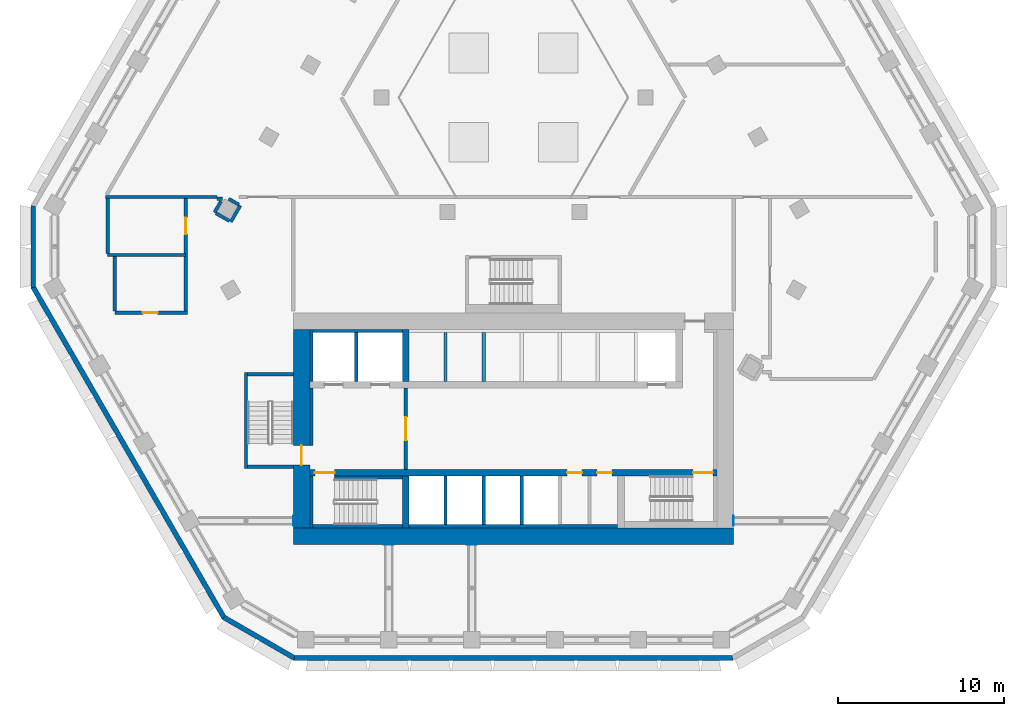
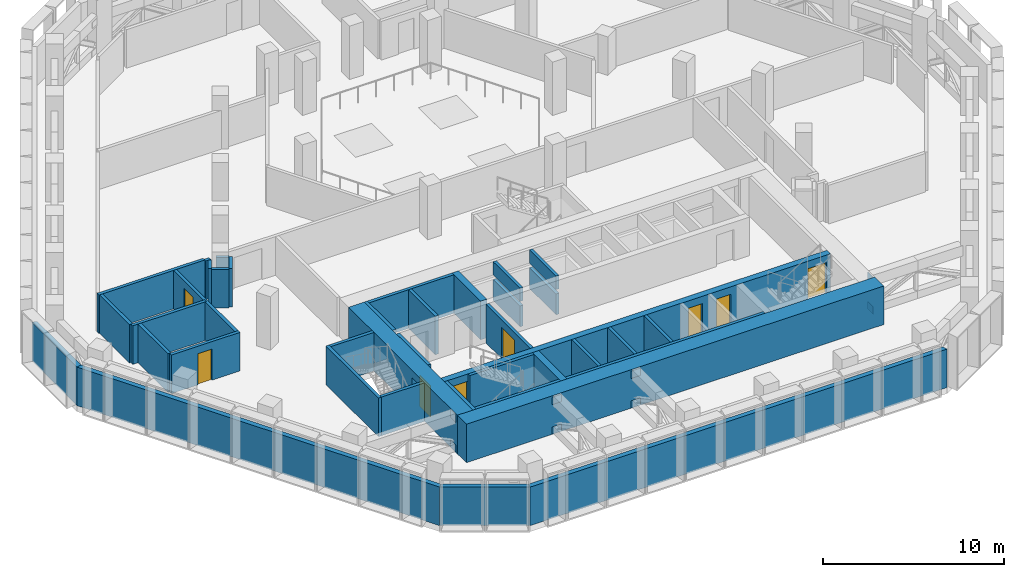
# One storey, part 12 of 23: 39 walls, 8 doors, 8 plates, 8 openings.
"""IFC4 building model written with IfcOpenShell, lengths in metres."""

from ifc_helpers import new_model, si_unit, direction, frame, frame_2d, origin, origin_2d, place, context, subcontext, project, spatial, polyline, rectangle, outline, extrude, material, layer, layer_set, type_object, element, fill, save


model = new_model("IFC4")

# Units and contexts
model_context = context("Model", 3, precision=1e-05, world=origin(), true_north=direction((0.0, 1.0)))
body_context = subcontext(model_context, "Body", "Model", "MODEL_VIEW")
ifc_project = project(units=[si_unit("LENGTHUNIT", "METRE"), si_unit("AREAUNIT", "SQUARE_METRE"), si_unit("VOLUMEUNIT", "CUBIC_METRE"), si_unit("PLANEANGLEUNIT", "RADIAN"), si_unit("MASSUNIT", "GRAM", prefix="KILO")], contexts=[model_context])

# Site, building, storey
site_placement = place(None, origin())
site = spatial("IfcSite", under=ifc_project, at=site_placement, CompositionType="ELEMENT")
building_placement = place(site_placement, origin())
building = spatial("IfcBuilding", under=site, at=building_placement, Name="Beryl Residences", CompositionType="ELEMENT")
storey_placement = place(building_placement, frame((0.0, 0.0, 108.0)))
storey = spatial("IfcBuildingStorey", under=building, at=storey_placement, Name="L33", CompositionType="ELEMENT", Elevation=108.0)

# Plates
ifc_material_1 = material(Name="Steel S355", Category="steel")
ifc_layer_1 = layer(ifc_material_1, 0.02490234375)
ifc_layer_set_1 = layer_set([ifc_layer_1], Name="CP2 cast-in plate 600 x 500 x 25 mm")
plate_type = type_object("IfcPlateType", Name="CP2 cast-in plate 600 x 500 x 25 mm", PredefinedType="SHEET", material=ifc_layer_set_1)
for number, where, z_axis, x_axis, name in (
    (1, (-13.2880859375, -17.56298828125, 2.0), (0.0, 0.0, 1.0), (1.0, 0.0, 0.0), "CP2 cast-in plate L33 OR-SW-3 T"),
    (2, (-13.2880859375, -17.56298828125, 0.0), (0.0, 0.0, 1.0), (1.0, 0.0, 0.0), "CP2 cast-in plate L33 OR-SW-3 B"),
    (3, (-7.533935546875, -18.988037109375, 2.0), (0.0, 0.0, 1.0), (0.0, 1.0, 0.0), "CP2 cast-in plate L33 OR-S-1 T"),
    (4, (-7.533935546875, -18.988037109375, 0.0), (0.0, 0.0, 1.0), (0.0, 1.0, 0.0), "CP2 cast-in plate L33 OR-S-1 B"),
    (5, (-2.510986328125, -18.988037109375, 2.0), (0.0, 0.0, 1.0), (0.0, 1.0, 0.0), "CP2 cast-in plate L33 OR-S-2 T"),
    (6, (-2.510986328125, -18.988037109375, 0.0), (0.0, 0.0, 1.0), (0.0, 1.0, 0.0), "CP2 cast-in plate L33 OR-S-2 B"),
    (7, (13.2880859375, -17.56298828125, 2.0), (0.0, 0.0, 1.0), (-1.0, 0.0, 0.0), "CP2 cast-in plate L33 OR-SE-1 T"),
    (8, (13.2880859375, -17.56298828125, 0.0), (0.0, 0.0, 1.0), (-1.0, 0.0, 0.0), "CP2 cast-in plate L33 OR-SE-1 B"),
):
    element("IfcPlate", number, at=place(storey_placement, frame(where, z_axis=z_axis, x_axis=x_axis)), inside=storey, type_object=plate_type, Name=name, PredefinedType="SHEET", context=body_context, shape_type="SweptSolid", body=[
        extrude(rectangle(XDim=0.02490234375, YDim=0.60009765625, at=origin_2d()), origin(), (0.0, 0.0, 1.0), 0.5),
    ])

# Walls
ifc_material_2 = material(Name="Composite metal panel with mineral wool insulation")
ifc_layer_2 = layer(ifc_material_2, 0.300048828125)
ifc_layer_set_2 = layer_set([ifc_layer_2], Name="ES1 pale metal composite panel wall 300 mm")
wall_type_1 = type_object("IfcWallType", Name="ES1 pale metal composite panel wall 300 mm", PredefinedType="SOLIDWALL", material=ifc_layer_set_2)
wall_1_placement = place(storey_placement, frame((-29.007080078125, 1.5, 0.0), z_axis=(0.0, 0.0, 1.0), x_axis=(0.0, -1.0, 0.0)))
element("IfcWall", 9, at=wall_1_placement, inside=storey, type_object=wall_type_1, Name="ES1 external wall L33 NW-SW", PredefinedType="SOLIDWALL", context=body_context, shape_type="SweptSolid", body=[
    extrude(outline(polyline([(0.0, -0.14990234375), (5.0, -0.14990234375), (4.919677734375, 0.14990234375), (0.080322265625, 0.14990234375), (0.0, -0.14990234375)])), origin(), (0.0, 0.0, 1.0), 2.60009765625),
])
wall_2_placement = place(storey_placement, frame((-29.027099609375, -3.425048828125, 0.0), z_axis=(0.0, 0.0, 1.0), x_axis=(0.500035407905, -0.866004960056, 0.0)))
element("IfcWall", 10, at=wall_2_placement, inside=storey, type_object=wall_type_1, Name="ES1 external wall L33 SW", PredefinedType="SOLIDWALL", context=body_context, shape_type="SweptSolid", body=[
    extrude(outline(polyline([(0.0, -0.14990234375), (23.094482421875, -0.14990234375), (23.01416015625, 0.14990234375), (0.080322265625, 0.14990234375), (0.0, -0.14990234375)])), origin(), (0.0, 0.0, 1.0), 2.60009765625),
])
wall_3_placement = place(storey_placement, frame((-17.533935546875, -23.3701171875, 0.0), z_axis=(0.0, 0.0, 1.0), x_axis=(0.866010750942, -0.50002537861, 0.0)))
element("IfcWall", 11, at=wall_3_placement, inside=storey, type_object=wall_type_1, Name="ES1 external wall L33 SW-S", PredefinedType="SOLIDWALL", context=body_context, shape_type="SweptSolid", body=[
    extrude(outline(polyline([(0.0, -0.14990234375), (4.999755859375, -0.14990234375), (4.91943359375, 0.14990234375), (0.080322265625, 0.14990234375), (0.0, -0.14990234375)])), origin(), (0.0, 0.0, 1.0), 2.60009765625),
])
wall_4_placement = place(storey_placement, frame((-13.279052734375, -25.85009765625, 0.0), z_axis=(0.0, 0.0, 1.0), x_axis=(1.0, 0.0, 0.0)))
element("IfcWall", 12, at=wall_4_placement, inside=storey, type_object=wall_type_1, Name="ES1 external wall L33 S", PredefinedType="SOLIDWALL", context=body_context, shape_type="SweptSolid", body=[
    extrude(outline(polyline([(0.0, -0.14990234375), (26.55810546875, -0.14990234375), (26.477783203125, 0.14990234375), (0.080322265625, 0.14990234375), (0.0, -0.14990234375)])), origin(), (0.0, 0.0, 1.0), 2.60009765625),
])

# Wall, opening, door
ifc_material_3 = material(Name="Cement board with tiles")
ifc_layer_3 = layer(ifc_material_3, 0.199951171875)
ifc_layer_set_3 = layer_set([ifc_layer_3], Name="PT11-200 wet area wall 200 mm")
wall_type_2 = type_object("IfcWallType", Name="PT11-200 wet area wall 200 mm", PredefinedType="PARTITIONING", material=ifc_layer_set_3)
wall_5_placement = place(storey_placement, frame((-24.075927734375, -5.0, 0.0), z_axis=(0.0, 0.0, 1.0), x_axis=(1.0, 0.0, 0.0)))
wall_5 = element("IfcWall", 13, at=wall_5_placement, inside=storey, type_object=wall_type_2, Name="Wall PT11-200 L33 001", PredefinedType="PARTITIONING", context=body_context, shape_type="SweptSolid", body=[
    extrude(rectangle(XDim=4.3759765625, YDim=0.199951171875, at=frame_2d((2.18798828125, 0.0))), origin(), (0.0, 0.0, 1.0), 2.60009765625),
])
opening_1_placement = place(wall_5_placement, frame((1.68798828125, 0.0, 0.0)))
opening_1 = element("IfcOpeningElement", 14, at=opening_1_placement, cuts=wall_5, Name="Opening L33-01", PredefinedType="OPENING", context=body_context, shape_type="SweptSolid", body=[
    extrude(rectangle(XDim=0.89990234375, YDim=2.10009765625, at=frame_2d((0.449951171875, 1.050048828125))), frame((0.0, 0.10986328125, 0.0), z_axis=(0.0, -1.0, 0.0), x_axis=(1.0, 0.0, 0.0)), (0.0, 0.0, 1.0), 0.219970703125),
])
ifc_material_4 = material(Name="Timber door leaf", Category="wood")
door_type_1 = type_object("IfcDoorType", Name="D2 room door 900 x 2100 mm", OperationType="SINGLE_SWING_LEFT", PredefinedType="DOOR", material=ifc_material_4)
door_1_placement = place(opening_1_placement, origin())
door_1 = element("IfcDoor", 15, at=door_1_placement, inside=storey, type_object=door_type_1, Name="Door L33-01 L33 001", OperationType="SINGLE_SWING_LEFT", OverallHeight=2.10009765625, OverallWidth=0.89990234375, PredefinedType="DOOR", context=body_context, shape_type="SweptSolid", body=[
    extrude(rectangle(XDim=0.89990234375, YDim=2.10009765625, at=frame_2d((0.449951171875, 1.050048828125))), frame((0.0, 0.02490234375, 0.0), z_axis=(0.0, -1.0, 0.0), x_axis=(1.0, 0.0, 0.0)), (0.0, 0.0, 1.0), 0.050048828125),
])
fill(opening_1, door_1)

# Walls
wall_6_placement = place(storey_placement, frame((-24.507080078125, -1.5, 0.0), z_axis=(0.0, 0.0, 1.0), x_axis=(1.0, 0.0, 0.0)))
element("IfcWall", 16, at=wall_6_placement, inside=storey, type_object=wall_type_2, Name="Wall PT11-200 L33 002", PredefinedType="PARTITIONING", context=body_context, shape_type="SweptSolid", body=[
    extrude(rectangle(XDim=4.70703125, YDim=0.199951171875, at=frame_2d((2.353515625, 0.0))), origin(), (0.0, 0.0, 1.0), 2.60009765625),
])
for number, where, z_axis, x_axis, name in (
    (17, (-24.507080078125, -1.39990234375, 0.0), (0.0, 0.0, 1.0), (0.0, 1.0, 0.0), "Wall PT11-200 L33 003"),
    (18, (-24.075927734375, -4.89990234375, 0.0), (0.0, 0.0, 1.0), (0.0, 1.0, 0.0), "Wall PT11-200 L33 004"),
):
    element("IfcWall", number, at=place(storey_placement, frame(where, z_axis=z_axis, x_axis=x_axis)), inside=storey, type_object=wall_type_2, Name=name, PredefinedType="PARTITIONING", context=body_context, shape_type="SweptSolid", body=[
        extrude(rectangle(XDim=3.2998046875, YDim=0.199951171875, at=frame_2d((1.64990234375, 0.0))), origin(), (0.0, 0.0, 1.0), 2.60009765625),
    ])

# Wall, opening, door
wall_7_placement = place(storey_placement, frame((-19.800048828125, -4.89990234375, 0.0), z_axis=(0.0, 0.0, 1.0), x_axis=(0.0, 1.0, 0.0)))
wall_7 = element("IfcWall", 19, at=wall_7_placement, inside=storey, type_object=wall_type_2, Name="Wall PT11-200 L33 005", PredefinedType="PARTITIONING", context=body_context, shape_type="SweptSolid", body=[
    extrude(rectangle(XDim=6.7998046875, YDim=0.199951171875, at=frame_2d((3.39990234375, 0.0))), origin(), (0.0, 0.0, 1.0), 2.60009765625),
])
opening_2_placement = place(wall_7_placement, frame((4.64794921875, 0.0, 0.0)))
opening_2 = element("IfcOpeningElement", 20, at=opening_2_placement, cuts=wall_7, Name="Opening L33-02", PredefinedType="OPENING", context=body_context, shape_type="SweptSolid", body=[
    extrude(rectangle(XDim=1.0, YDim=2.10009765625, at=frame_2d((0.5, 1.050048828125))), frame((0.0, 0.10986328125, 0.0), z_axis=(0.0, -1.0, 0.0), x_axis=(1.0, 0.0, 0.0)), (0.0, 0.0, 1.0), 0.219970703125),
])
ifc_material_5 = material(Name="Timber door leaf", Category="wood")
door_type_2 = type_object("IfcDoorType", Name="D19 room door 1000 x 2100 mm", OperationType="SINGLE_SWING_LEFT", PredefinedType="DOOR", material=ifc_material_5)
door_2_placement = place(opening_2_placement, origin())
door_2 = element("IfcDoor", 21, at=door_2_placement, inside=storey, type_object=door_type_2, Name="Door L33-02 L33 001", OperationType="SINGLE_SWING_RIGHT", OverallHeight=2.10009765625, OverallWidth=1.0, PredefinedType="DOOR", context=body_context, shape_type="SweptSolid", body=[
    extrude(rectangle(XDim=1.0, YDim=2.10009765625, at=frame_2d((0.5, 1.050048828125))), frame((0.0, 0.02490234375, 0.0), z_axis=(0.0, -1.0, 0.0), x_axis=(1.0, 0.0, 0.0)), (0.0, 0.0, 1.0), 0.050048828125),
])
fill(opening_2, door_2)

# Wall
ifc_material_6 = material(Name="Concrete masonry", Category="masonry")
ifc_layer_4 = layer(ifc_material_6, 0.199951171875)
ifc_layer_set_4 = layer_set([ifc_layer_4], Name="PT13 lobby wall 200 mm")
wall_type_3 = type_object("IfcWallType", Name="PT13 lobby wall 200 mm", PredefinedType="PARTITIONING", material=ifc_layer_set_4)
wall_8_placement = place(storey_placement, frame((-12.199951171875, -13.0, 0.0), z_axis=(0.0, 0.0, 1.0), x_axis=(0.0, 1.0, 0.0)))
element("IfcWall", 22, at=wall_8_placement, inside=storey, type_object=wall_type_3, Name="Lobby wall 05", PredefinedType="PARTITIONING", context=body_context, shape_type="SweptSolid", body=[
    extrude(rectangle(XDim=3.449951171875, YDim=0.199951171875, at=frame_2d((1.72509765625, 0.0))), origin(), (0.0, 0.0, 1.0), 2.60009765625),
])

# Wall, opening, door
wall_9_placement = place(storey_placement, frame((-6.5, -14.449951171875, 0.0), z_axis=(0.0, 0.0, 1.0), x_axis=(0.0, 1.0, 0.0)))
wall_9 = element("IfcWall", 23, at=wall_9_placement, inside=storey, type_object=wall_type_3, Name="Lobby wall 11", PredefinedType="PARTITIONING", context=body_context, shape_type="SweptSolid", body=[
    extrude(rectangle(XDim=4.89990234375, YDim=0.199951171875, at=frame_2d((2.449951171875, 0.0))), origin(), (0.0, 0.0, 1.0), 2.60009765625),
])
opening_3_placement = place(wall_9_placement, frame((3.14990234375, 0.0, 0.0), z_axis=(0.0, 0.0, 1.0), x_axis=(-1.0, 0.0, 0.0)))
opening_3 = element("IfcOpeningElement", 24, at=opening_3_placement, cuts=wall_9, Name="Opening FD-FFL", PredefinedType="OPENING", context=body_context, shape_type="SweptSolid", body=[
    extrude(rectangle(XDim=1.39990234375, YDim=2.10009765625, at=frame_2d((0.699951171875, 1.050048828125))), frame((0.0, 0.10986328125, 0.0), z_axis=(0.0, -1.0, 0.0), x_axis=(1.0, 0.0, 0.0)), (0.0, 0.0, 1.0), 0.219970703125),
])
ifc_material_7 = material(Name="Steel door leaf in steel frame", Category="steel")
door_type_3 = type_object("IfcDoorType", Name="D5 lobby door 1400 x 2100 mm", OperationType="DOUBLE_DOOR_SINGLE_SWING", PredefinedType="DOOR", material=ifc_material_7)
door_3_placement = place(opening_3_placement, origin())
door_3 = element("IfcDoor", 25, at=door_3_placement, inside=storey, type_object=door_type_3, Name="Door FD-FFL L33 001", OperationType="DOUBLE_DOOR_SINGLE_SWING", OverallHeight=2.10009765625, OverallWidth=1.39990234375, PredefinedType="DOOR", context=body_context, shape_type="SweptSolid", body=[
    extrude(rectangle(XDim=1.39990234375, YDim=2.10009765625, at=frame_2d((0.699951171875, 1.050048828125))), frame((0.0, 0.02490234375, 0.0), z_axis=(0.0, -1.0, 0.0), x_axis=(1.0, 0.0, 0.0)), (0.0, 0.0, 1.0), 0.050048828125),
])
fill(opening_3, door_3)

# Walls
ifc_material_8 = material(Name="Concrete C40/50", Category="concrete")
ifc_layer_5 = layer(ifc_material_8, 0.199951171875)
ifc_layer_set_5 = layer_set([ifc_layer_5], Name="PT5 stair enclosure wall 200 mm reinforced concrete C40/50")
wall_type_4 = type_object("IfcWallType", Name="PT5 stair enclosure wall 200 mm reinforced concrete C40/50", PredefinedType="SOLIDWALL", material=ifc_layer_set_5)
wall_10_placement = place(storey_placement, frame((-16.14990234375, -14.39990234375, 0.0), z_axis=(0.0, 0.0, 1.0), x_axis=(0.0, 1.0, 0.0)))
element("IfcWall", 26, at=wall_10_placement, inside=storey, type_object=wall_type_4, Name="Stair wall 01", PredefinedType="SOLIDWALL", context=body_context, shape_type="SweptSolid", body=[
    extrude(rectangle(XDim=5.7998046875, YDim=0.199951171875, at=frame_2d((2.89990234375, 0.0))), origin(), (0.0, 0.0, 1.0), 2.60009765625),
])
for number, where, z_axis, x_axis, name in (
    (27, (-16.050048828125, -14.300048828125, 0.0), (0.0, 0.0, 1.0), (1.0, 0.0, 0.0), "Stair wall 02"),
    (28, (-16.050048828125, -8.699951171875, 0.0), (0.0, 0.0, 1.0), (1.0, 0.0, 0.0), "Stair wall 03"),
):
    element("IfcWall", number, at=place(storey_placement, frame(where, z_axis=z_axis, x_axis=x_axis)), inside=storey, type_object=wall_type_4, Name=name, PredefinedType="SOLIDWALL", context=body_context, shape_type="SweptSolid", body=[
        extrude(rectangle(XDim=2.75, YDim=0.199951171875, at=frame_2d((1.375, 0.0))), origin(), (0.0, 0.0, 1.0), 2.60009765625),
    ])
wall_11_placement = place(storey_placement, frame((-12.199951171875, -18.0, 0.0), z_axis=(0.0, 0.0, 1.0), x_axis=(0.0, 1.0, 0.0)))
element("IfcWall", 29, at=wall_11_placement, inside=storey, type_object=wall_type_4, Name="Stair wall 04", PredefinedType="SOLIDWALL", context=body_context, shape_type="SweptSolid", body=[
    extrude(rectangle(XDim=3.14990234375, YDim=0.199951171875, at=frame_2d((1.574951171875, 0.0))), origin(), (0.0, 0.0, 1.0), 2.60009765625),
])
wall_12_placement = place(storey_placement, frame((-12.10009765625, -17.89990234375, 0.0), z_axis=(0.0, 0.0, 1.0), x_axis=(1.0, 0.0, 0.0)))
element("IfcWall", 30, at=wall_12_placement, inside=storey, type_object=wall_type_4, Name="Stair wall 07", PredefinedType="SOLIDWALL", context=body_context, shape_type="SweptSolid", body=[
    extrude(rectangle(XDim=5.400146484375, YDim=0.199951171875, at=frame_2d((2.7001953125, 0.0))), origin(), (0.0, 0.0, 1.0), 2.60009765625),
])
wall_13_placement = place(storey_placement, frame((-10.800048828125, -14.949951171875, 0.0), z_axis=(0.0, 0.0, 1.0), x_axis=(1.0, 0.0, 0.0)))
element("IfcWall", 31, at=wall_13_placement, inside=storey, type_object=wall_type_4, Name="Stair wall 09", PredefinedType="SOLIDWALL", context=body_context, shape_type="SweptSolid", body=[
    extrude(rectangle(XDim=4.10009765625, YDim=0.199951171875, at=frame_2d((2.050048828125, 0.0))), origin(), (0.0, 0.0, 1.0), 2.60009765625),
])
ifc_material_9 = material(Name="Concrete C40/50", Category="concrete")
ifc_layer_6 = layer(ifc_material_9, 0.199951171875)
ifc_layer_set_6 = layer_set([ifc_layer_6], Name="PT6 lift shaft wall 200 mm reinforced concrete C40/50")
wall_type_5 = type_object("IfcWallType", Name="PT6 lift shaft wall 200 mm reinforced concrete C40/50", PredefinedType="SOLIDWALL", material=ifc_layer_set_6)
wall_14_placement = place(storey_placement, frame((-12.199951171875, -9.14990234375, 0.0), z_axis=(0.0, 0.0, 1.0), x_axis=(0.0, 1.0, 0.0)))
element("IfcWall", 32, at=wall_14_placement, inside=storey, type_object=wall_type_5, Name="Lift shaft wall 06", PredefinedType="SOLIDWALL", context=body_context, shape_type="SweptSolid", body=[
    extrude(rectangle(XDim=3.14990234375, YDim=0.199951171875, at=frame_2d((1.574951171875, 0.0))), origin(), (0.0, 0.0, 1.0), 2.60009765625),
])
wall_15_placement = place(storey_placement, frame((-12.10009765625, -6.10009765625, 0.0), z_axis=(0.0, 0.0, 1.0), x_axis=(1.0, 0.0, 0.0)))
element("IfcWall", 33, at=wall_15_placement, inside=storey, type_object=wall_type_5, Name="Lift shaft wall 08", PredefinedType="SOLIDWALL", context=body_context, shape_type="SweptSolid", body=[
    extrude(rectangle(XDim=5.400146484375, YDim=0.199951171875, at=frame_2d((2.7001953125, 0.0))), origin(), (0.0, 0.0, 1.0), 2.60009765625),
])
wall_16_placement = place(storey_placement, frame((-9.5, -9.14990234375, 0.0), z_axis=(0.0, 0.0, 1.0), x_axis=(0.0, 1.0, 0.0)))
element("IfcWall", 34, at=wall_16_placement, inside=storey, type_object=wall_type_5, Name="Lift shaft wall 10", PredefinedType="SOLIDWALL", context=body_context, shape_type="SweptSolid", body=[
    extrude(rectangle(XDim=2.949951171875, YDim=0.199951171875, at=frame_2d((1.47509765625, 0.0))), origin(), (0.0, 0.0, 1.0), 2.60009765625),
])
wall_17_placement = place(storey_placement, frame((-6.300048828125, -17.89990234375, 0.0), z_axis=(0.0, 0.0, 1.0), x_axis=(1.0, 0.0, 0.0)))
element("IfcWall", 35, at=wall_17_placement, inside=storey, type_object=wall_type_5, Name="Lift shaft wall 12", PredefinedType="SOLIDWALL", context=body_context, shape_type="SweptSolid", body=[
    extrude(rectangle(XDim=12.60009765625, YDim=0.199951171875, at=frame_2d((6.300048828125, 0.0))), origin(), (0.0, 0.0, 1.0), 2.60009765625),
])
wall_18_placement = place(storey_placement, frame((-4.10009765625, -17.800048828125, 0.0), z_axis=(0.0, 0.0, 1.0), x_axis=(0.0, 1.0, 0.0)))
element("IfcWall", 36, at=wall_18_placement, inside=storey, type_object=wall_type_5, Name="Lift shaft wall 14", PredefinedType="SOLIDWALL", context=body_context, shape_type="SweptSolid", body=[
    extrude(rectangle(XDim=2.949951171875, YDim=0.199951171875, at=frame_2d((1.47509765625, 0.0))), origin(), (0.0, 0.0, 1.0), 2.60009765625),
])
wall_19_placement = place(storey_placement, frame((-4.10009765625, -9.14990234375, 1.699951171875), z_axis=(0.0, 0.0, 1.0), x_axis=(0.0, 1.0, 0.0)))
element("IfcWall", 37, at=wall_19_placement, inside=storey, type_object=wall_type_5, Name="Lift shaft wall 15", PredefinedType="SOLIDWALL", context=body_context, shape_type="SweptSolid", body=[
    extrude(rectangle(XDim=2.949951171875, YDim=0.199951171875, at=frame_2d((1.47509765625, 0.0))), origin(), (0.0, 0.0, 1.0), 0.900146484375),
])
wall_20_placement = place(storey_placement, frame((-1.800048828125, -17.800048828125, 0.0), z_axis=(0.0, 0.0, 1.0), x_axis=(0.0, 1.0, 0.0)))
element("IfcWall", 38, at=wall_20_placement, inside=storey, type_object=wall_type_5, Name="Lift shaft wall 16", PredefinedType="SOLIDWALL", context=body_context, shape_type="SweptSolid", body=[
    extrude(rectangle(XDim=2.949951171875, YDim=0.199951171875, at=frame_2d((1.47509765625, 0.0))), origin(), (0.0, 0.0, 1.0), 2.60009765625),
])
wall_21_placement = place(storey_placement, frame((-1.800048828125, -9.14990234375, 1.699951171875), z_axis=(0.0, 0.0, 1.0), x_axis=(0.0, 1.0, 0.0)))
element("IfcWall", 39, at=wall_21_placement, inside=storey, type_object=wall_type_5, Name="Lift shaft wall 17", PredefinedType="SOLIDWALL", context=body_context, shape_type="SweptSolid", body=[
    extrude(rectangle(XDim=2.949951171875, YDim=0.199951171875, at=frame_2d((1.47509765625, 0.0))), origin(), (0.0, 0.0, 1.0), 0.900146484375),
])
wall_22_placement = place(storey_placement, frame((0.5, -17.800048828125, 0.0), z_axis=(0.0, 0.0, 1.0), x_axis=(0.0, 1.0, 0.0)))
element("IfcWall", 40, at=wall_22_placement, inside=storey, type_object=wall_type_5, Name="Lift shaft wall 18", PredefinedType="SOLIDWALL", context=body_context, shape_type="SweptSolid", body=[
    extrude(rectangle(XDim=2.949951171875, YDim=0.199951171875, at=frame_2d((1.47509765625, 0.0))), origin(), (0.0, 0.0, 1.0), 2.60009765625),
])
ifc_material_10 = material(Name="Concrete C40/50", Category="concrete")
ifc_layer_7 = layer(ifc_material_10, 0.199951171875)
ifc_layer_set_7 = layer_set([ifc_layer_7], Name="PT6S lift shaft wall 200 mm reinforced concrete C40/50 (load-bearing)")
wall_type_6 = type_object("IfcWallType", Name="PT6S lift shaft wall 200 mm reinforced concrete C40/50 (load-bearing)", PredefinedType="SOLIDWALL", material=ifc_layer_set_7)
for number, where, z_axis, x_axis, name in (
    (41, (-4.10009765625, -9.14990234375, 0.0), (0.0, 0.0, 1.0), (0.0, 1.0, 0.0), "Lift shaft wall 15"),
    (42, (-1.800048828125, -9.14990234375, 0.0), (0.0, 0.0, 1.0), (0.0, 1.0, 0.0), "Lift shaft wall 17"),
):
    element("IfcWall", number, at=place(storey_placement, frame(where, z_axis=z_axis, x_axis=x_axis)), inside=storey, type_object=wall_type_6, Name=name, PredefinedType="SOLIDWALL", context=body_context, shape_type="SweptSolid", body=[
        extrude(rectangle(XDim=2.949951171875, YDim=0.199951171875, at=frame_2d((1.47509765625, 0.0))), origin(), (0.0, 0.0, 1.0), 1.39990234375),
    ])
ifc_material_11 = material(Name="Concrete C40/50", Category="concrete")
ifc_layer_8 = layer(ifc_material_11, 0.199951171875)
ifc_layer_set_8 = layer_set([ifc_layer_8], Name="PT9-200 plant room wall 200 mm")
wall_type_7 = type_object("IfcWallType", Name="PT9-200 plant room wall 200 mm", PredefinedType="SOLIDWALL", material=ifc_layer_set_8)
wall_23_placement = place(storey_placement, frame((-17.89208984375, 1.889892578125, 0.0), z_axis=(0.0, 0.0, 1.0), x_axis=(1.0, 0.0, 0.0)))
element("IfcWall", 43, at=wall_23_placement, inside=storey, type_object=wall_type_7, Name="Wall PT9-200 L33 004", PredefinedType="SOLIDWALL", context=body_context, shape_type="SweptSolid", body=[
    extrude(rectangle(XDim=0.31201171875, YDim=0.199951171875, at=frame_2d((0.156005859375, 0.0))), origin(), (0.0, 0.0, 1.0), 2.60009765625),
])
wall_24_placement = place(storey_placement, frame((-24.654052734375, 2.0, 0.0), z_axis=(0.0, 0.0, 1.0), x_axis=(1.0, 0.0, 0.0)))
element("IfcWall", 44, at=wall_24_placement, inside=storey, type_object=wall_type_7, Name="Wall PT9-200 L33 005", PredefinedType="SOLIDWALL", context=body_context, shape_type="SweptSolid", body=[
    extrude(rectangle(XDim=6.761962890625, YDim=0.199951171875, at=frame_2d((3.380859375, 0.0))), origin(), (0.0, 0.0, 1.0), 2.60009765625),
])
wall_25_placement = place(storey_placement, frame((-17.201904296875, 1.889892578125, 0.0), z_axis=(0.0, 0.0, 1.0), x_axis=(0.866168466286, -0.499752126571, 0.0)))
element("IfcWall", 45, at=wall_25_placement, inside=storey, type_object=wall_type_7, Name="Wall PT9-200 L33 020", PredefinedType="SOLIDWALL", context=body_context, shape_type="SweptSolid", body=[
    extrude(rectangle(XDim=0.712158203125, YDim=0.199951171875, at=frame_2d((0.35595703125, 0.0))), origin(), (0.0, 0.0, 1.0), 2.60009765625),
])
wall_26_placement = place(storey_placement, frame((-17.968994140625, 1.01611328125, 0.0), z_axis=(0.0, 0.0, 1.0), x_axis=(0.865900072007, -0.500217018202, 0.0)))
element("IfcWall", 46, at=wall_26_placement, inside=storey, type_object=wall_type_7, Name="Wall PT9-200 L33 021", PredefinedType="SOLIDWALL", context=body_context, shape_type="SweptSolid", body=[
    extrude(rectangle(XDim=0.93994140625, YDim=0.199951171875, at=frame_2d((0.469970703125, 0.0))), origin(), (0.0, 0.0, 1.0), 2.60009765625),
])
wall_27_placement = place(storey_placement, frame((-18.055908203125, 1.06591796875, 0.0), z_axis=(0.0, 0.0, 1.0), x_axis=(0.499749611789, 0.866169917231, 0.0)))
element("IfcWall", 47, at=wall_27_placement, inside=storey, type_object=wall_type_7, Name="Wall PT9-200 L33 032", PredefinedType="SOLIDWALL", context=body_context, shape_type="SweptSolid", body=[
    extrude(rectangle(XDim=0.7783203125, YDim=0.199951171875, at=frame_2d((0.38916015625, 0.0))), origin(), (0.0, 0.0, 1.0), 2.60009765625),
])
wall_28_placement = place(storey_placement, frame((-17.068115234375, 0.49609375, 0.0), z_axis=(0.0, 0.0, 1.0), x_axis=(0.499845994177, 0.866114300832, 0.0)))
element("IfcWall", 48, at=wall_28_placement, inside=storey, type_object=wall_type_7, Name="Wall PT9-200 L33 037", PredefinedType="SOLIDWALL", context=body_context, shape_type="SweptSolid", body=[
    extrude(rectangle(XDim=1.140380859375, YDim=0.199951171875, at=frame_2d((0.5703125, 0.0))), origin(), (0.0, 0.0, 1.0), 2.60009765625),
])
ifc_material_12 = material(Name="Concrete C70/85", Category="concrete")
ifc_layer_9 = layer(ifc_material_12, 1.0)
ifc_layer_set_9 = layer_set([ifc_layer_9], Name="SW2 core outer wall 1000 mm C70/85")
wall_type_8 = type_object("IfcWallType", Name="SW2 core outer wall 1000 mm C70/85", PredefinedType="SHEAR", material=ifc_layer_set_9)
wall_29_placement = place(storey_placement, frame((-13.300048828125, -18.5, 0.0), z_axis=(0.0, 0.0, 1.0), x_axis=(1.0, 0.0, 0.0)))
element("IfcWall", 49, at=wall_29_placement, inside=storey, type_object=wall_type_8, Name="Core wall S L33", PredefinedType="SHEAR", context=body_context, shape_type="SweptSolid", body=[
    extrude(rectangle(XDim=26.60009765625, YDim=1.0, at=frame_2d((13.300048828125, 0.0))), origin(), (0.0, 0.0, 1.0), 2.60009765625),
])

# Wall, opening, door
wall_30_placement = place(storey_placement, frame((-12.800048828125, -18.0, 0.0), z_axis=(0.0, 0.0, 1.0), x_axis=(0.0, 1.0, 0.0)))
wall_30 = element("IfcWall", 50, at=wall_30_placement, inside=storey, type_object=wall_type_8, Name="Core wall W L33", PredefinedType="SHEAR", context=body_context, shape_type="SweptSolid", body=[
    extrude(rectangle(XDim=12.0, YDim=1.0, at=frame_2d((6.0, 0.0))), origin(), (0.0, 0.0, 1.0), 2.60009765625),
])
opening_4_placement = place(wall_30_placement, frame((3.800048828125, 0.0, 0.0)))
opening_4 = element("IfcOpeningElement", 51, at=opening_4_placement, cuts=wall_30, Name="Opening SD-2", PredefinedType="OPENING", context=body_context, shape_type="SweptSolid", body=[
    extrude(rectangle(XDim=1.199951171875, YDim=2.10009765625, at=frame_2d((0.60009765625, 1.050048828125))), frame((0.0, 0.510009765625, 0.0), z_axis=(0.0, -1.0, 0.0), x_axis=(1.0, 0.0, 0.0)), (0.0, 0.0, 1.0), 1.02001953125),
])
ifc_material_13 = material(Name="Steel door leaf in steel frame", Category="steel")
door_type_4 = type_object("IfcDoorType", Name="D4 stair door 1200 x 2100 mm", OperationType="SINGLE_SWING_LEFT", PredefinedType="DOOR", material=ifc_material_13)
door_4_placement = place(opening_4_placement, origin())
door_4 = element("IfcDoor", 52, at=door_4_placement, inside=storey, type_object=door_type_4, Name="Door SD-2 L33 001", OperationType="SINGLE_SWING_RIGHT", OverallHeight=2.10009765625, OverallWidth=1.199951171875, PredefinedType="DOOR", context=body_context, shape_type="SweptSolid", body=[
    extrude(rectangle(XDim=1.199951171875, YDim=2.10009765625, at=frame_2d((0.60009765625, 1.050048828125))), frame((0.0, 0.02490234375, 0.0), z_axis=(0.0, -1.0, 0.0), x_axis=(1.0, 0.0, 0.0)), (0.0, 0.0, 1.0), 0.050048828125),
])
fill(opening_4, door_4)

# Wall, openings, doors
ifc_material_14 = material(Name="Concrete C70/85", Category="concrete")
ifc_layer_10 = layer(ifc_material_14, 0.39990234375)
ifc_layer_set_10 = layer_set([ifc_layer_10], Name="SW7 core internal wall 400 mm C70/85")
wall_type_9 = type_object("IfcWallType", Name="SW7 core internal wall 400 mm C70/85", PredefinedType="SHEAR", material=ifc_layer_set_10)
wall_31_placement = place(storey_placement, frame((-12.300048828125, -14.64990234375, 0.0), z_axis=(0.0, 0.0, 1.0), x_axis=(1.0, 0.0, 0.0)))
wall_31 = element("IfcWall", 53, at=wall_31_placement, inside=storey, type_object=wall_type_9, Name="Core wall SP1 L33", PredefinedType="SHEAR", context=body_context, shape_type="SweptSolid", body=[
    extrude(rectangle(XDim=24.60009765625, YDim=0.39990234375, at=frame_2d((12.300048828125, 0.0))), origin(), (0.0, 0.0, 1.0), 2.60009765625),
])
opening_5_placement = place(wall_31_placement, frame((1.5, 0.0, 0.0), z_axis=(0.0, 0.0, 1.0), x_axis=(-1.0, 0.0, 0.0)))
opening_5 = element("IfcOpeningElement", 54, at=opening_5_placement, cuts=wall_31, Name="Opening SD-1", PredefinedType="OPENING", context=body_context, shape_type="SweptSolid", body=[
    extrude(rectangle(XDim=1.199951171875, YDim=2.10009765625, at=frame_2d((0.60009765625, 1.050048828125))), frame((0.0, 0.2099609375, 0.0), z_axis=(0.0, -1.0, 0.0), x_axis=(1.0, 0.0, 0.0)), (0.0, 0.0, 1.0), 0.419921875),
])
opening_6_placement = place(wall_31_placement, frame((24.349853515625, 0.0, 0.0), z_axis=(0.0, 0.0, 1.0), x_axis=(-1.0, 0.0, 0.0)))
opening_6 = element("IfcOpeningElement", 55, at=opening_6_placement, cuts=wall_31, Name="Opening SD-3", PredefinedType="OPENING", context=body_context, shape_type="SweptSolid", body=[
    extrude(rectangle(XDim=1.199951171875, YDim=2.10009765625, at=frame_2d((0.60009765625, 1.050048828125))), frame((0.0, 0.2099609375, 0.0), z_axis=(0.0, -1.0, 0.0), x_axis=(1.0, 0.0, 0.0)), (0.0, 0.0, 1.0), 0.419921875),
])
opening_7_placement = place(wall_31_placement, frame((16.449951171875, 0.0, 0.0), z_axis=(0.0, 0.0, 1.0), x_axis=(-1.0, 0.0, 0.0)))
opening_7 = element("IfcOpeningElement", 56, at=opening_7_placement, cuts=wall_31, Name="Opening CD-D-S1-900", PredefinedType="OPENING", context=body_context, shape_type="SweptSolid", body=[
    extrude(rectangle(XDim=0.89990234375, YDim=2.10009765625, at=frame_2d((0.449951171875, 1.050048828125))), frame((0.0, 0.2099609375, 0.0), z_axis=(0.0, -1.0, 0.0), x_axis=(1.0, 0.0, 0.0)), (0.0, 0.0, 1.0), 0.419921875),
])
opening_8_placement = place(wall_31_placement, frame((18.25, 0.0, 0.0), z_axis=(0.0, 0.0, 1.0), x_axis=(-1.0, 0.0, 0.0)))
opening_8 = element("IfcOpeningElement", 57, at=opening_8_placement, cuts=wall_31, Name="Opening CD-D-S2-900", PredefinedType="OPENING", context=body_context, shape_type="SweptSolid", body=[
    extrude(rectangle(XDim=0.89990234375, YDim=2.10009765625, at=frame_2d((0.449951171875, 1.050048828125))), frame((0.0, 0.2099609375, 0.0), z_axis=(0.0, -1.0, 0.0), x_axis=(1.0, 0.0, 0.0)), (0.0, 0.0, 1.0), 0.419921875),
])
door_5_placement = place(opening_5_placement, origin())
door_5 = element("IfcDoor", 58, at=door_5_placement, inside=storey, type_object=door_type_4, Name="Door SD-1 L33 001", OperationType="SINGLE_SWING_RIGHT", OverallHeight=2.10009765625, OverallWidth=1.199951171875, PredefinedType="DOOR", context=body_context, shape_type="SweptSolid", body=[
    extrude(rectangle(XDim=1.199951171875, YDim=2.10009765625, at=frame_2d((0.60009765625, 1.050048828125))), frame((0.0, 0.02490234375, 0.0), z_axis=(0.0, -1.0, 0.0), x_axis=(1.0, 0.0, 0.0)), (0.0, 0.0, 1.0), 0.050048828125),
])
fill(opening_5, door_5)
door_6_placement = place(opening_6_placement, origin())
door_6 = element("IfcDoor", 59, at=door_6_placement, inside=storey, type_object=door_type_4, Name="Door SD-3 L33 001", OperationType="SINGLE_SWING_RIGHT", OverallHeight=2.10009765625, OverallWidth=1.199951171875, PredefinedType="DOOR", context=body_context, shape_type="SweptSolid", body=[
    extrude(rectangle(XDim=1.199951171875, YDim=2.10009765625, at=frame_2d((0.60009765625, 1.050048828125))), frame((0.0, 0.02490234375, 0.0), z_axis=(0.0, -1.0, 0.0), x_axis=(1.0, 0.0, 0.0)), (0.0, 0.0, 1.0), 0.050048828125),
])
fill(opening_6, door_6)
ifc_material_15 = material(Name="Steel door leaf in steel frame", Category="steel")
door_type_5 = type_object("IfcDoorType", Name="D6 service room door 900 x 2100 mm", OperationType="SINGLE_SWING_LEFT", PredefinedType="DOOR", material=ifc_material_15)
door_7_placement = place(opening_7_placement, origin())
door_7 = element("IfcDoor", 60, at=door_7_placement, inside=storey, type_object=door_type_5, Name="Door CD-D-S1-900 L33 001", OperationType="SINGLE_SWING_RIGHT", OverallHeight=2.10009765625, OverallWidth=0.89990234375, PredefinedType="DOOR", context=body_context, shape_type="SweptSolid", body=[
    extrude(rectangle(XDim=0.89990234375, YDim=2.10009765625, at=frame_2d((0.449951171875, 1.050048828125))), frame((0.0, 0.02490234375, 0.0), z_axis=(0.0, -1.0, 0.0), x_axis=(1.0, 0.0, 0.0)), (0.0, 0.0, 1.0), 0.050048828125),
])
fill(opening_7, door_7)
door_8_placement = place(opening_8_placement, origin())
door_8 = element("IfcDoor", 61, at=door_8_placement, inside=storey, type_object=door_type_5, Name="Door CD-D-S2-900 L33 001", OperationType="SINGLE_SWING_LEFT", OverallHeight=2.10009765625, OverallWidth=0.89990234375, PredefinedType="DOOR", context=body_context, shape_type="SweptSolid", body=[
    extrude(rectangle(XDim=0.89990234375, YDim=2.10009765625, at=frame_2d((0.449951171875, 1.050048828125))), frame((0.0, 0.02490234375, 0.0), z_axis=(0.0, -1.0, 0.0), x_axis=(1.0, 0.0, 0.0)), (0.0, 0.0, 1.0), 0.050048828125),
])
fill(opening_8, door_8)

# Walls
for number, where, z_axis, x_axis, name in (
    (62, (-6.5, -18.0, 0.0), (0.0, 0.0, 1.0), (0.0, 1.0, 0.0), "Core wall XS1 L33"),
    (63, (-6.5, -9.14990234375, 0.0), (0.0, 0.0, 1.0), (0.0, 1.0, 0.0), "Core wall XN1 L33"),
):
    element("IfcWall", number, at=place(storey_placement, frame(where, z_axis=z_axis, x_axis=x_axis)), inside=storey, type_object=wall_type_9, Name=name, PredefinedType="SHEAR", context=body_context, shape_type="SweptSolid", body=[
        extrude(rectangle(XDim=3.14990234375, YDim=0.39990234375, at=frame_2d((1.574951171875, 0.0))), origin(), (0.0, 0.0, 1.0), 2.60009765625),
    ])

save(model, "model.ifc")
